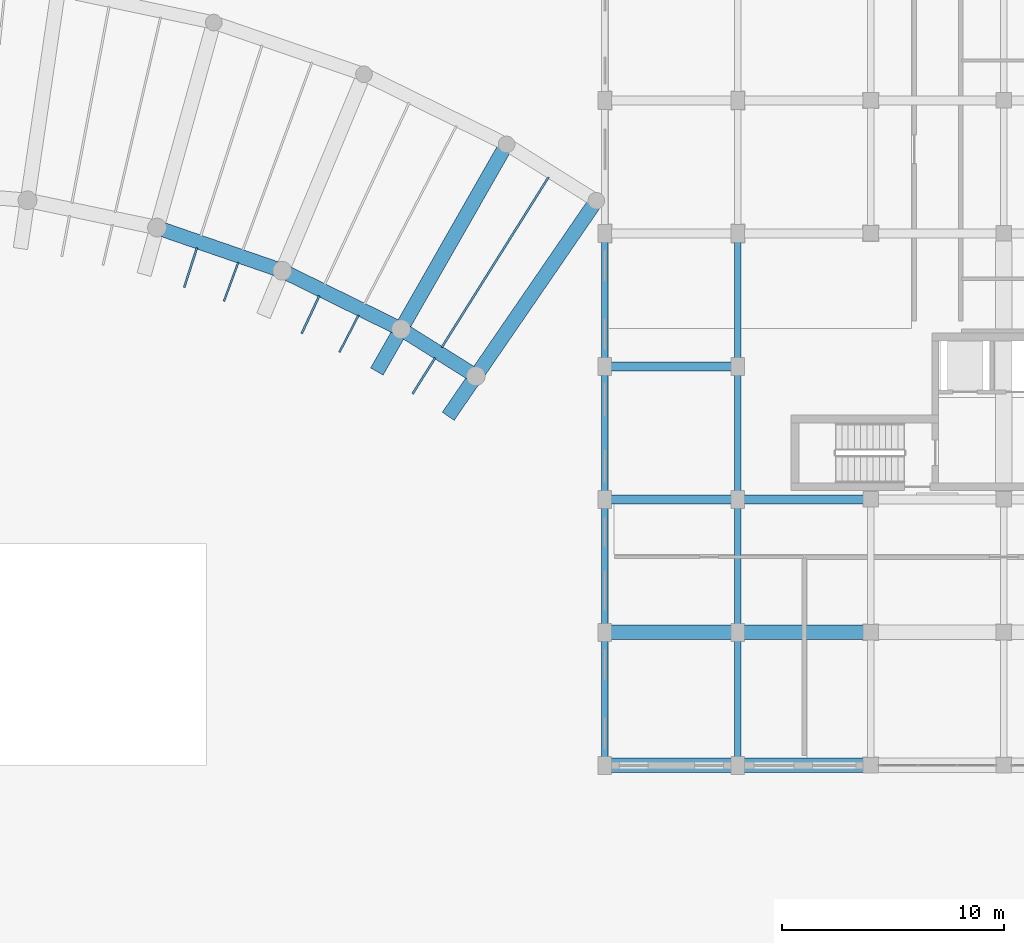
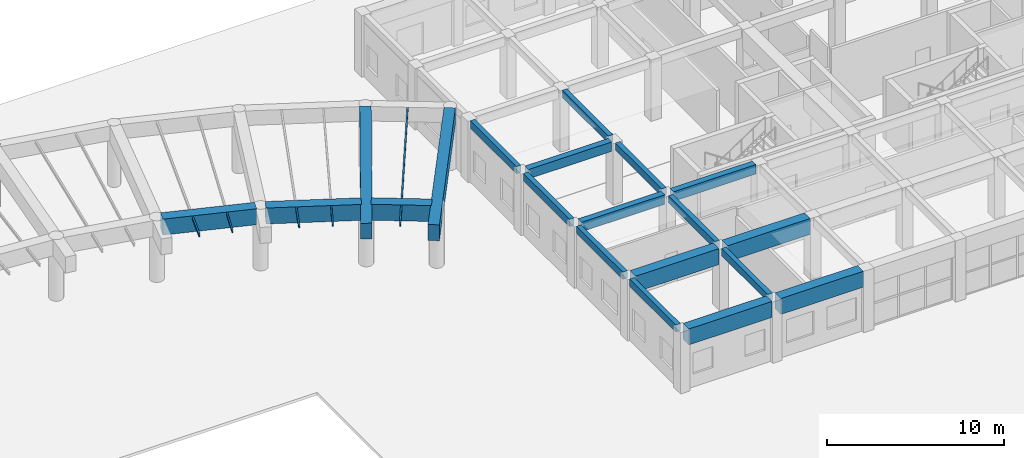
# One storey, part 36 of 76: 26 beams.
"""IFC4 building model written with IfcOpenShell, lengths in metres."""

import ifcopenshell
import ifcopenshell.guid

model = None  # the IFC model being written
_history = None  # IfcOwnerHistory: only IFC2X3 demands one
_inside = {}  # id of a spatial element -> (the spatial element, [elements in it])
_under = {}  # id of a project, library or spatial element -> (it, [spatial elements below it])
_declared = {}  # id of a project -> (the project, [libraries it declares])
_typed = {}  # id of a type object -> (the type object, [elements of that type])
_made_of = {}  # id of a material, layer set ... -> (it, [elements and type objects made of it])


def new_model(schema):
    """Start an empty IFC model of exactly this schema.

    Asked for "IFC4X3", IfcOpenShell would pick the latest addendum, in which some entities
    have other attributes; the version numbers below select the first issue.
    IFC2X3 requires an IfcOwnerHistory on every rooted entity: one is made here for all.
    """
    global model, _history
    if schema == "IFC4X3":
        model = ifcopenshell.file(schema_version=(4, 3, 0, 0))
    else:
        model = ifcopenshell.file(schema=schema)
    _inside.clear()
    _under.clear()
    _declared.clear()
    _typed.clear()
    _made_of.clear()
    _history = None
    if model.schema == "IFC2X3":
        org = make("IfcOrganization", Name="unknown")
        user = make(
            "IfcPersonAndOrganization",
            ThePerson=make("IfcPerson", FamilyName="unknown"),
            TheOrganization=org,
        )
        app = make(
            "IfcApplication",
            ApplicationDeveloper=org,
            Version="unknown",
            ApplicationFullName="unknown",
            ApplicationIdentifier="unknown",
        )
        _history = make(
            "IfcOwnerHistory",
            OwningUser=user,
            OwningApplication=app,
            ChangeAction="ADDED",
            CreationDate=0,
        )
    return model


def make(cls, **values):
    """One entity of the class cls with the attributes given. An attribute that is None is left unset."""
    return model.create_entity(
        cls, **{name: value for name, value in values.items() if value is not None}
    )


def rooted(cls, **values):
    """An entity with a GlobalId (a new one), such as an element, a storey or a relation."""
    return make(cls, GlobalId=ifcopenshell.guid.new(), OwnerHistory=_history, **values)


def si_unit(unit_type, name, prefix=None):
    """IfcSIUnit, for example si_unit("LENGTHUNIT", "METRE", prefix="MILLI")."""
    return make("IfcSIUnit", UnitType=unit_type, Prefix=prefix, Name=name)


def assignment(units):
    """IfcUnitAssignment: the units of a project."""
    return None if units is None else make("IfcUnitAssignment", Units=units)


def point(xyz):
    """IfcCartesianPoint."""
    return None if xyz is None else make("IfcCartesianPoint", Coordinates=xyz)


def direction(xyz):
    """IfcDirection."""
    return None if xyz is None else make("IfcDirection", DirectionRatios=xyz)


def frame(location, z_axis=None, x_axis=None):
    """IfcAxis2Placement3D, a coordinate frame: its origin and axes. An axis left out is left unset."""
    return make(
        "IfcAxis2Placement3D",
        Location=point(location),
        Axis=direction(z_axis),
        RefDirection=direction(x_axis),
    )


def frame_2d(location, x_axis=None):
    """IfcAxis2Placement2D, a coordinate frame in the plane: its origin and x axis."""
    return make(
        "IfcAxis2Placement2D", Location=point(location), RefDirection=direction(x_axis)
    )


def origin():
    """The frame at (0, 0, 0) with its axes left unset."""
    return frame((0.0, 0.0, 0.0))


def origin_2d():
    """The frame at (0, 0) in the plane with its x axis left unset."""
    return frame_2d((0.0, 0.0))


def place(relative_to, where):
    """IfcLocalPlacement: puts the frame where relative to a parent placement (None: the world)."""
    return make(
        "IfcLocalPlacement", PlacementRelTo=relative_to, RelativePlacement=where
    )


def context(
    kind, dimensions, precision=None, world=None, true_north=None, identifier=None
):
    """IfcGeometricRepresentationContext, for example the 3D "Model" context."""
    return make(
        "IfcGeometricRepresentationContext",
        ContextIdentifier=identifier,
        ContextType=kind,
        CoordinateSpaceDimension=dimensions,
        Precision=precision,
        WorldCoordinateSystem=world,
        TrueNorth=true_north,
    )


def subcontext(parent, identifier, kind, view, scale=None):
    """IfcGeometricRepresentationSubContext, for example "Body" below "Model"."""
    return make(
        "IfcGeometricRepresentationSubContext",
        ContextIdentifier=identifier,
        ContextType=kind,
        ParentContext=parent,
        TargetScale=scale,
        TargetView=view,
    )


def project(units=None, contexts=None):
    """IfcProject with its units and contexts."""
    return rooted(
        "IfcProject",
        Name="project",
        RepresentationContexts=contexts,
        UnitsInContext=assignment(units),
    )


def spatial(cls, under=None, at=None, **own):
    """A site, building, storey or space (cls), placed at a placement, below another one or the project."""
    s = rooted(cls, ObjectPlacement=at, **own)
    if under is not None:
        _under.setdefault(under.id(), (under, []))[1].append(s)
    return s


def profile(cls, at=None, kind="AREA", **sizes):
    """A parametric profile (cls). Its sizes go by their IFC names, for example OverallWidth=200.0."""
    return make(cls, ProfileType=kind, Position=at, **sizes)


def rectangle(**sizes):
    """IfcRectangleProfileDef."""
    return profile("IfcRectangleProfileDef", **sizes)


def i_section(**sizes):
    """IfcIShapeProfileDef."""
    return profile("IfcIShapeProfileDef", **sizes)


def extrude(swept, where, along, depth):
    """IfcExtrudedAreaSolid: the profile swept, set in the frame where, extruded along a direction by depth."""
    return make(
        "IfcExtrudedAreaSolid",
        SweptArea=swept,
        Position=where,
        ExtrudedDirection=direction(along),
        Depth=depth,
    )


def shape(context_of_items, identifier, shape_type, items):
    """IfcShapeRepresentation: the items that make up one representation, for example the "Body"."""
    return make(
        "IfcShapeRepresentation",
        ContextOfItems=context_of_items,
        RepresentationIdentifier=identifier,
        RepresentationType=shape_type,
        Items=items,
    )


def material(Name=None, Category=None):
    """IfcMaterial."""
    return make("IfcMaterial", Name=Name, Category=Category)


def material_profile(
    of_material, cross_section, Name=None, Category=None, Priority=None
):
    """IfcMaterialProfile: a cross section and its material."""
    return make(
        "IfcMaterialProfile",
        Name=Name,
        Material=of_material,
        Profile=cross_section,
        Priority=Priority,
        Category=Category,
    )


def profile_set(profiles, Name=None, composite=None):
    """IfcMaterialProfileSet."""
    return make(
        "IfcMaterialProfileSet",
        Name=Name,
        MaterialProfiles=profiles,
        CompositeProfile=composite,
    )


def made_of(thing, what):
    """Note that an element or type object is made of a material, layer set ...; save() writes the relation."""
    if what is not None:
        _made_of.setdefault(what.id(), (what, []))[1].append(thing)
    return thing


def type_object(cls, material=None, **own):
    """A type object (cls), such as IfcWallType, which elements share."""
    return made_of(rooted(cls, **own), material)


def element(
    cls,
    number,
    at=None,
    inside=None,
    cuts=None,
    type_object=None,
    material=None,
    context=None,
    identifier="Body",
    shape_type=None,
    held_by="IfcProductDefinitionShape",
    body=None,
    shapes=None,
    **own,
):
    """One element of the class cls, such as IfcWall. Its Tag is "e" and its number.

    at: its placement. inside: the storey or other place that contains it. cuts: it is an
    opening in that element (IfcRelVoidsElement). A single representation is given by context,
    identifier, shape_type and body (its items); several are given by shapes. held_by: the class
    of the entity that holds the representations. save() writes the other relations.
    """
    e = rooted(cls, Tag="e%d" % number, ObjectPlacement=at, **own)
    if body is not None:
        shapes = [shape(context, identifier, shape_type, body)]
    if shapes is not None:
        e.Representation = make(held_by, Representations=shapes)
    if inside is not None:
        _inside.setdefault(inside.id(), (inside, []))[1].append(e)
    if cuts is not None:
        rooted(
            "IfcRelVoidsElement", RelatingBuildingElement=cuts, RelatedOpeningElement=e
        )
    if type_object is not None:
        _typed.setdefault(type_object.id(), (type_object, []))[1].append(e)
    return made_of(e, material)


def aggregate(whole, parts):
    """IfcRelAggregates: a whole, such as a stair, and the parts it consists of."""
    return rooted("IfcRelAggregates", RelatingObject=whole, RelatedObjects=parts)


def save(model, path):
    """Write the relations noted so far, then the file.

    IfcRelAggregates (storeys below a building ...), IfcRelContainedInSpatialStructure (elements
    in a storey), IfcRelDefinesByType, IfcRelAssociatesMaterial and IfcRelDeclares: one each for
    every whole, place, type object, material and project.
    """
    for whole, parts in _under.values():
        aggregate(whole, parts)
    for where, things in _inside.values():
        rooted(
            "IfcRelContainedInSpatialStructure",
            RelatedElements=things,
            RelatingStructure=where,
        )
    for kind, things in _typed.values():
        rooted("IfcRelDefinesByType", RelatedObjects=things, RelatingType=kind)
    for what, things in _made_of.values():
        rooted("IfcRelAssociatesMaterial", RelatedObjects=things, RelatingMaterial=what)
    for by, libraries in _declared.values():
        rooted("IfcRelDeclares", RelatingContext=by, RelatedDefinitions=libraries)
    model.write(path)


model = new_model("IFC4")

# Units and contexts
model_context = context("Model", 3, precision=1e-05, world=origin(), true_north=direction((0.0, 1.0)))
body_context = subcontext(model_context, "Body", "Model", "MODEL_VIEW")
ifc_project = project(units=[si_unit("LENGTHUNIT", "METRE"), si_unit("AREAUNIT", "SQUARE_METRE"), si_unit("VOLUMEUNIT", "CUBIC_METRE"), si_unit("PLANEANGLEUNIT", "RADIAN"), si_unit("MASSUNIT", "GRAM", prefix="KILO"), si_unit("POWERUNIT", "WATT"), si_unit("THERMODYNAMICTEMPERATUREUNIT", "KELVIN")], contexts=[model_context])

# Site, building, storey
site_placement = place(None, origin())
site = spatial("IfcSite", under=ifc_project, at=site_placement, CompositionType="ELEMENT")
building_placement = place(site_placement, origin())
building = spatial("IfcBuilding", under=site, at=building_placement, Name="Ruvembo Vaulted Housing Court", CompositionType="ELEMENT")
storey_placement = place(building_placement, origin())
storey = spatial("IfcBuildingStorey", under=building, at=storey_placement, Name="L00", CompositionType="ELEMENT", Elevation=0.0)

# Beams
ifc_material_1 = material(Name="Concrete C35/45", Category="concrete")
ifc_material_profile_1 = material_profile(ifc_material_1, rectangle(XDim=0.39990234375, YDim=0.64990234375, at=origin_2d()), Name="RC 400x650")
ifc_profile_set_1 = profile_set([ifc_material_profile_1], Name="Concrete C35/45")
beam_type_1 = type_object("IfcBeamType", Name="BM-RC-400x650", PredefinedType="BEAM", material=ifc_profile_set_1)
beam_1_placement = place(storey_placement, frame((150.284912109375, 84.0, 3.905029296875), z_axis=(1.0, 0.0, 0.0), x_axis=(0.0, 1.0, 0.0)))
element("IfcBeam", 1, at=beam_1_placement, inside=storey, type_object=beam_type_1, Name="L00 Grid Beam X #882", PredefinedType="BEAM", context=body_context, shape_type="SweptSolid", body=[
    extrude(rectangle(XDim=0.39990234375, YDim=0.64990234375, at=origin_2d()), origin(), (0.0, 0.0, 1.0), 5.43017578125),
])
beam_2_placement = place(storey_placement, frame((156.284912109375, 84.0, 3.905029296875), z_axis=(1.0, 0.0, 0.0), x_axis=(0.0, 1.0, 0.0)))
element("IfcBeam", 2, at=beam_2_placement, inside=storey, type_object=beam_type_1, Name="L00 Grid Beam X #883", PredefinedType="BEAM", context=body_context, shape_type="SweptSolid", body=[
    extrude(rectangle(XDim=0.39990234375, YDim=0.64990234375, at=origin_2d()), origin(), (0.0, 0.0, 1.0), 5.380126953125),
])
beam_3_placement = place(storey_placement, frame((150.284912109375, 90.0, 3.905029296875), z_axis=(1.0, 0.0, 0.0), x_axis=(0.0, 1.0, 0.0)))
element("IfcBeam", 3, at=beam_3_placement, inside=storey, type_object=beam_type_1, Name="L00 Grid Beam X #894", PredefinedType="BEAM", context=body_context, shape_type="SweptSolid", body=[
    extrude(rectangle(XDim=0.39990234375, YDim=0.64990234375, at=origin_2d()), origin(), (0.0, 0.0, 1.0), 5.43017578125),
])
ifc_material_2 = material(Name="Steel S355J2", Category="steel")
ifc_material_profile_2 = material_profile(ifc_material_2, i_section(OverallWidth=0.08203125, OverallDepth=0.159912109375, WebThickness=0.0048828125, FlangeThickness=0.00732421875, FilletRadius=0.009033203125, at=origin_2d()), Name="IPE 160")
ifc_profile_set_2 = profile_set([ifc_material_profile_2], Name="Steel S355J2")
beam_type_2 = type_object("IfcBeamType", Name="BM-ST-IPE160", PredefinedType="JOIST", material=ifc_profile_set_2)
for number, where, z_axis, x_axis, name in (
    (4, (133.461669921875, 94.70263671875, 4.159912109375), (-0.345530584523, -0.938407488866, 0.0), (0.938407488866, -0.345530584523, 0.0), "Scoop SC3 L00 Radial Balcony Outrigger Joist 23"),
    (5, (138.88671875, 92.311767578125, 4.159912109375), (-0.459447683292, -0.888204833536, 0.0), (0.888204833536, -0.459447683292, 0.0), "Scoop SC3 L00 Radial Balcony Outrigger Joist 26"),
):
    element("IfcBeam", number, at=place(storey_placement, frame(where, z_axis=z_axis, x_axis=x_axis)), inside=storey, type_object=beam_type_2, Name=name, PredefinedType="JOIST", context=body_context, shape_type="SweptSolid", body=[
        extrude(i_section(OverallWidth=0.08203125, OverallDepth=0.159912109375, WebThickness=0.0048828125, FlangeThickness=0.00732421875, FilletRadius=0.009033203125, at=origin_2d()), origin(), (0.0, 0.0, 1.0), 1.87744140625),
    ])
ifc_material_profile_3 = material_profile(ifc_material_2, i_section(OverallWidth=0.091064453125, OverallDepth=0.179931640625, WebThickness=0.00537109375, FlangeThickness=0.008056640625, FilletRadius=0.009033203125, at=origin_2d()), Name="IPE 180")
ifc_profile_set_3 = profile_set([ifc_material_profile_3], Name="Steel S355J2")
beam_type_3 = type_object("IfcBeamType", Name="BM-ST-IPE180", PredefinedType="JOIST", material=ifc_profile_set_3)
beam_4_placement = place(storey_placement, frame((131.59228515625, 95.34716796875, 4.14990234375), z_axis=(-0.306299666495, -0.951935141858, 0.0), x_axis=(0.951935141858, -0.306299666495, 0.0)))
element("IfcBeam", 6, at=beam_4_placement, inside=storey, type_object=beam_type_3, Name="Scoop SC3 L00 Radial Balcony Outrigger Joist 22", PredefinedType="JOIST", context=body_context, shape_type="SweptSolid", body=[
    extrude(i_section(OverallWidth=0.091064453125, OverallDepth=0.179931640625, WebThickness=0.00537109375, FlangeThickness=0.008056640625, FilletRadius=0.009033203125, at=origin_2d()), origin(), (0.0, 0.0, 1.0), 1.877197265625),
])
beam_5_placement = place(storey_placement, frame((137.112060546875, 93.18359375, 4.14990234375), z_axis=(-0.422230423567, -0.906488537939, 0.0), x_axis=(0.906488537939, -0.422230423567, 0.0)))
element("IfcBeam", 7, at=beam_5_placement, inside=storey, type_object=beam_type_3, Name="Scoop SC3 L00 Radial Balcony Outrigger Joist 25", PredefinedType="JOIST", context=body_context, shape_type="SweptSolid", body=[
    extrude(i_section(OverallWidth=0.091064453125, OverallDepth=0.179931640625, WebThickness=0.00537109375, FlangeThickness=0.008056640625, FilletRadius=0.009033203125, at=origin_2d()), origin(), (0.0, 0.0, 1.0), 1.87744140625),
])
beam_6_placement = place(storey_placement, frame((147.456298828125, 98.5361328125, 4.14990234375), z_axis=(-0.531528595389, -0.847040348675, 0.0), x_axis=(0.847040348675, -0.531528595389, 0.0)))
element("IfcBeam", 8, at=beam_6_placement, inside=storey, type_object=beam_type_3, Name="Scoop SC3 L00 Interior Radial Joist 28", PredefinedType="JOIST", context=body_context, shape_type="SweptSolid", body=[
    extrude(i_section(OverallWidth=0.091064453125, OverallDepth=0.179931640625, WebThickness=0.00537109375, FlangeThickness=0.008056640625, FilletRadius=0.009033203125, at=origin_2d()), origin(), (0.0, 0.0, 1.0), 9.061767578125),
])
beam_7_placement = place(storey_placement, frame((142.342041015625, 90.385986328125, 4.14990234375), z_axis=(-0.53149644161, -0.84706052473, 0.0), x_axis=(0.84706052473, -0.53149644161, 0.0)))
element("IfcBeam", 9, at=beam_7_placement, inside=storey, type_object=beam_type_3, Name="Scoop SC3 L00 Radial Balcony Outrigger Joist 28", PredefinedType="JOIST", context=body_context, shape_type="SweptSolid", body=[
    extrude(i_section(OverallWidth=0.091064453125, OverallDepth=0.179931640625, WebThickness=0.00537109375, FlangeThickness=0.008056640625, FilletRadius=0.009033203125, at=origin_2d()), origin(), (0.0, 0.0, 1.0), 1.918701171875),
])
ifc_material_profile_4 = material_profile(ifc_material_1, rectangle(XDim=0.300048828125, YDim=0.5, at=origin_2d()), Name="RC 300x500")
ifc_profile_set_4 = profile_set([ifc_material_profile_4], Name="Concrete C35/45")
beam_type_4 = type_object("IfcBeamType", Name="SP-RC-300x500", PredefinedType="SPANDREL", material=ifc_profile_set_4)
for number, where, z_axis, x_axis, name in (
    (10, (150.0, 72.385009765625, 3.97998046875), (0.0, 1.0, 0.0), (-1.0, 0.0, 0.0), "L00 Grid Beam Y #1079"),
    (11, (150.0, 78.385009765625, 3.97998046875), (0.0, 1.0, 0.0), (-1.0, 0.0, 0.0), "L00 Grid Beam Y #1080"),
    (12, (150.0, 84.385009765625, 3.97998046875), (0.0, 1.0, 0.0), (-1.0, 0.0, 0.0), "L00 Grid Beam Y #1081"),
    (13, (150.0, 90.385009765625, 3.97998046875), (0.0, 1.0, 0.0), (-1.0, 0.0, 0.0), "L00 Grid Beam Y #1082"),
    (14, (156.0, 72.385009765625, 3.97998046875), (0.0, 1.0, 0.0), (-1.0, 0.0, 0.0), "L00 Grid Beam Y #1088"),
    (15, (156.0, 78.385009765625, 3.97998046875), (0.0, 1.0, 0.0), (-1.0, 0.0, 0.0), "L00 Grid Beam Y #1089"),
    (16, (156.0, 84.385009765625, 3.97998046875), (0.0, 1.0, 0.0), (-1.0, 0.0, 0.0), "L00 Grid Beam Y #1090"),
    (17, (156.0, 90.385009765625, 3.97998046875), (0.0, 1.0, 0.0), (-1.0, 0.0, 0.0), "L00 Grid Beam Y #1091"),
):
    element("IfcBeam", number, at=place(storey_placement, frame(where, z_axis=z_axis, x_axis=x_axis)), inside=storey, type_object=beam_type_4, Name=name, PredefinedType="SPANDREL", context=body_context, shape_type="SweptSolid", body=[
        extrude(rectangle(XDim=0.300048828125, YDim=0.5, at=origin_2d()), origin(), (0.0, 0.0, 1.0), 5.22998046875),
    ])
ifc_material_3 = material(Name="Concrete C40/50", Category="concrete")
ifc_material_profile_5 = material_profile(ifc_material_3, rectangle(XDim=0.64990234375, YDim=1.10009765625, at=origin_2d()), Name="RC 650x1100")
ifc_profile_set_5 = profile_set([ifc_material_profile_5], Name="Concrete C40/50")
beam_type_5 = type_object("IfcBeamType", Name="TB-RC-650x1100", PredefinedType="BEAM", material=ifc_profile_set_5)
beam_8_placement = place(storey_placement, frame((150.284912109375, 72.0, 3.679931640625), z_axis=(1.0, 0.0, 0.0), x_axis=(0.0, 1.0, 0.0)))
element("IfcBeam", 18, at=beam_8_placement, inside=storey, type_object=beam_type_5, Name="L00 Grid Beam X #852", PredefinedType="BEAM", context=body_context, shape_type="SweptSolid", body=[
    extrude(rectangle(XDim=0.64990234375, YDim=1.10009765625, at=origin_2d()), origin(), (0.0, 0.0, 1.0), 5.43017578125),
])
beam_9_placement = place(storey_placement, frame((156.284912109375, 72.0, 3.679931640625), z_axis=(1.0, 0.0, 0.0), x_axis=(0.0, 1.0, 0.0)))
element("IfcBeam", 19, at=beam_9_placement, inside=storey, type_object=beam_type_5, Name="L00 Grid Beam X #853", PredefinedType="BEAM", context=body_context, shape_type="SweptSolid", body=[
    extrude(rectangle(XDim=0.64990234375, YDim=1.10009765625, at=origin_2d()), origin(), (0.0, 0.0, 1.0), 5.380126953125),
])
beam_10_placement = place(storey_placement, frame((150.284912109375, 78.0, 3.679931640625), z_axis=(1.0, 0.0, 0.0), x_axis=(0.0, 1.0, 0.0)))
element("IfcBeam", 20, at=beam_10_placement, inside=storey, type_object=beam_type_5, Name="L00 Grid Beam X #864", PredefinedType="BEAM", context=body_context, shape_type="SweptSolid", body=[
    extrude(rectangle(XDim=0.64990234375, YDim=1.10009765625, at=origin_2d()), origin(), (0.0, 0.0, 1.0), 5.43017578125),
])
beam_11_placement = place(storey_placement, frame((156.284912109375, 78.0, 3.679931640625), z_axis=(1.0, 0.0, 0.0), x_axis=(0.0, 1.0, 0.0)))
element("IfcBeam", 21, at=beam_11_placement, inside=storey, type_object=beam_type_5, Name="L00 Grid Beam X #865", PredefinedType="BEAM", context=body_context, shape_type="SweptSolid", body=[
    extrude(rectangle(XDim=0.64990234375, YDim=1.10009765625, at=origin_2d()), origin(), (0.0, 0.0, 1.0), 5.380126953125),
])
beam_12_placement = place(storey_placement, frame((130.059326171875, 96.172119140625, 3.697998046875), z_axis=(0.945353810468, -0.326046274373, 0.0), x_axis=(0.326046274373, 0.945353810468, 0.0)))
element("IfcBeam", 22, at=beam_12_placement, inside=storey, type_object=beam_type_5, Name="Scoop SC3 Pilotis Transfer Girder F21", PredefinedType="BEAM", context=body_context, shape_type="SweptSolid", body=[
    extrude(rectangle(XDim=0.64990234375, YDim=1.10009765625, at=origin_2d()), origin(), (0.0, 0.0, 1.0), 5.413818359375),
])
beam_13_placement = place(storey_placement, frame((135.693359375, 94.1923828125, 3.697998046875), z_axis=(0.897543993754, -0.440924913422, 0.0), x_axis=(0.440924913422, 0.897543993754, 0.0)))
element("IfcBeam", 23, at=beam_13_placement, inside=storey, type_object=beam_type_5, Name="Scoop SC3 Pilotis Transfer Girder F24", PredefinedType="BEAM", context=body_context, shape_type="SweptSolid", body=[
    extrude(rectangle(XDim=0.64990234375, YDim=1.10009765625, at=origin_2d()), origin(), (0.0, 0.0, 1.0), 5.41357421875),
])
beam_14_placement = place(storey_placement, frame((141.040771484375, 91.533203125, 3.697998046875), z_axis=(0.847047528081, -0.531517154164, 0.0), x_axis=(0.531517154164, 0.847047528081, 0.0)))
element("IfcBeam", 24, at=beam_14_placement, inside=storey, type_object=beam_type_5, Name="Scoop SC3 Pilotis Transfer Girder F27", PredefinedType="BEAM", context=body_context, shape_type="SweptSolid", body=[
    extrude(rectangle(XDim=0.64990234375, YDim=1.10009765625, at=origin_2d()), origin(), (0.0, 0.0, 1.0), 3.423828125),
])
beam_15_placement = place(storey_placement, frame((145.4453125, 99.81005859375, 3.697998046875), z_axis=(-0.49590011009, -0.868379571853, 0.0), x_axis=(0.868379571853, -0.49590011009, 0.0)))
element("IfcBeam", 25, at=beam_15_placement, inside=storey, type_object=beam_type_5, Name="Scoop SC3 Radial Pilotis Transfer Girder 27", PredefinedType="BEAM", context=body_context, shape_type="SweptSolid", body=[
    extrude(rectangle(XDim=0.64990234375, YDim=1.10009765625, at=origin_2d()), origin(), (0.0, 0.0, 1.0), 11.56005859375),
])
beam_16_placement = place(storey_placement, frame((149.477783203125, 97.279541015625, 3.697998046875), z_axis=(-0.566202512951, -0.824266167162, 0.0), x_axis=(0.824266167162, -0.566202512951, 0.0)))
element("IfcBeam", 26, at=beam_16_placement, inside=storey, type_object=beam_type_5, Name="Scoop SC3 Radial Pilotis Transfer Girder 29", PredefinedType="BEAM", context=body_context, shape_type="SweptSolid", body=[
    extrude(rectangle(XDim=0.64990234375, YDim=1.10009765625, at=origin_2d()), origin(), (0.0, 0.0, 1.0), 11.559814453125),
])

save(model, "model.ifc")
